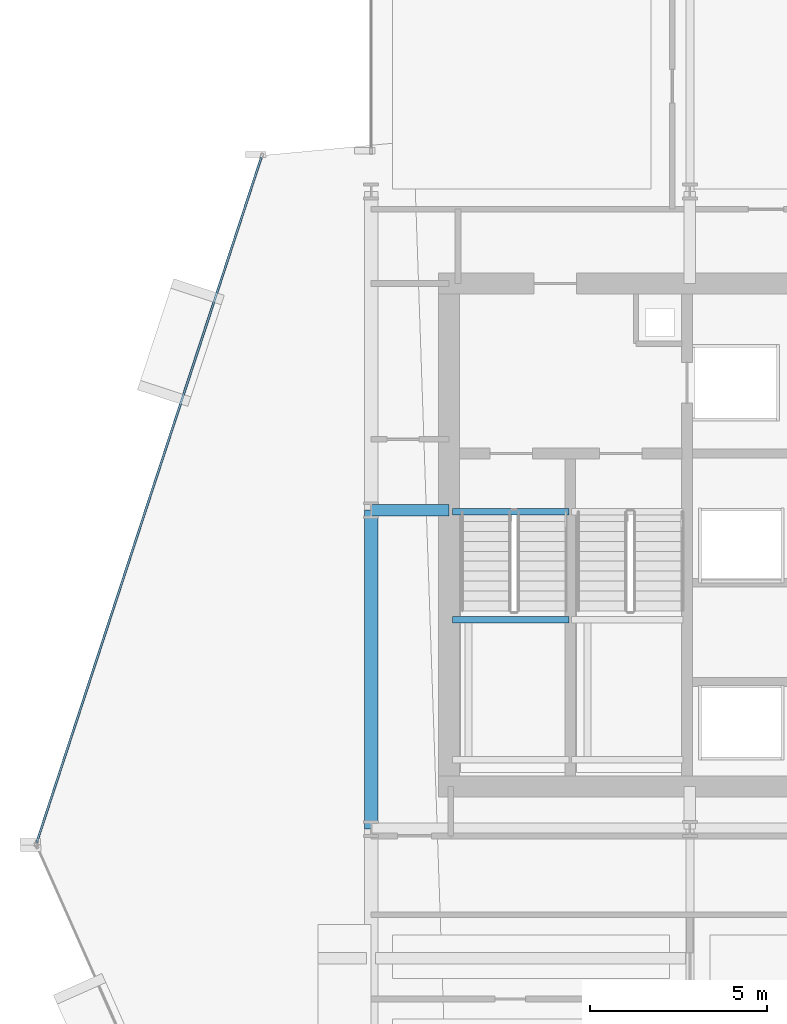
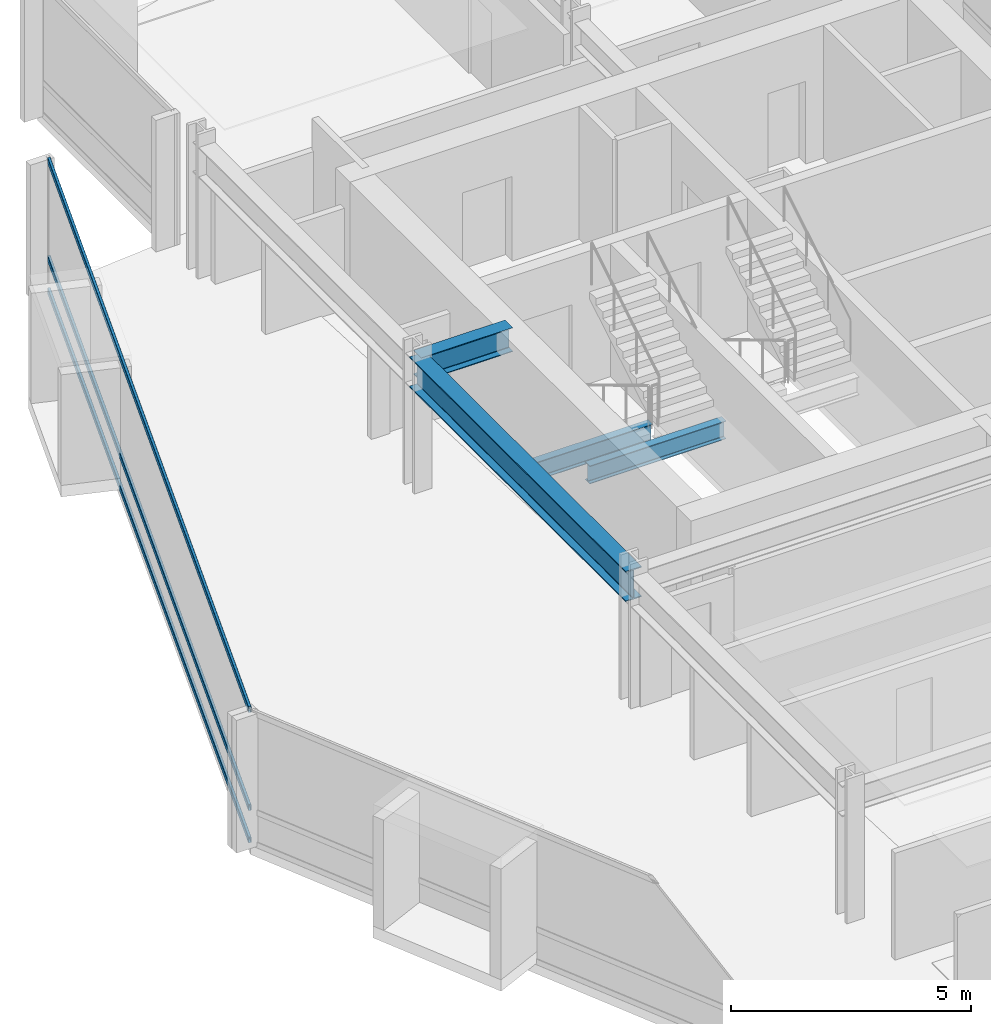
# One storey, part 18 of 34: 4 beams, 3 members, 1 element without a shape of its own.
"""IFC4 building model written with IfcOpenShell, lengths in metres."""

from ifc_helpers import new_model, si_unit, direction, frame, origin, origin_2d, place, context, subcontext, project, spatial, hollow_rectangle, i_section, extrude, material, layer, layer_set, material_profile, profile_set, type_object, element, aggregate, save


model = new_model("IFC4")

# Units and contexts
model_context = context("Model", 3, precision=1e-05, world=origin(), true_north=direction((0.0, 1.0)))
body_context = subcontext(model_context, "Body", "Model", "MODEL_VIEW")
ifc_project = project(units=[si_unit("LENGTHUNIT", "METRE"), si_unit("AREAUNIT", "SQUARE_METRE"), si_unit("VOLUMEUNIT", "CUBIC_METRE"), si_unit("PLANEANGLEUNIT", "RADIAN"), si_unit("MASSUNIT", "GRAM", prefix="KILO")], contexts=[model_context])

# Site, building, storey
site_placement = place(None, origin())
site = spatial("IfcSite", under=ifc_project, at=site_placement, CompositionType="ELEMENT")
building_placement = place(site_placement, origin())
building = spatial("IfcBuilding", under=site, at=building_placement, Name="Solvaryn Broadcast Tower", CompositionType="ELEMENT")
storey_placement = place(building_placement, frame((0.0, 0.0, 96.5)))
storey = spatial("IfcBuildingStorey", under=building, at=storey_placement, Name="L23", CompositionType="ELEMENT", Elevation=96.5)

# Beams
ifc_material_1 = material(Name="Steel ASTM A992 Grade 50", Category="steel")
ifc_material_profile_1 = material_profile(ifc_material_1, i_section(OverallWidth=0.323974609375, OverallDepth=0.611083984375, WebThickness=0.0126953125, FlangeThickness=0.01904296875, FilletRadius=0.014892578125, at=origin_2d()))
ifc_profile_set_1 = profile_set([ifc_material_profile_1], Name="Steel ASTM A992 Grade 50")
beam_type_1 = type_object("IfcBeamType", Name="BM-B1-W24X104", PredefinedType="BEAM", material=ifc_profile_set_1)
beam_1_placement = place(storey_placement, frame((9.0, 36.0, 3.064453125), z_axis=(1.0, 0.0, 0.0), x_axis=(0.0, 1.0, 0.0)))
element("IfcBeam", 1, at=beam_1_placement, inside=storey, type_object=beam_type_1, Name="L23 Core Tie Beam CTW1", PredefinedType="BEAM", context=body_context, shape_type="SweptSolid", body=[
    extrude(i_section(OverallWidth=0.323974609375, OverallDepth=0.611083984375, WebThickness=0.0126953125, FlangeThickness=0.01904296875, FilletRadius=0.014892578125, at=origin_2d()), origin(), (0.0, 0.0, 1.0), 2.199951171875),
])
ifc_material_2 = material(Name="Steel ASTM A992 Grade 50", Category="steel")
ifc_material_profile_2 = material_profile(ifc_material_2, i_section(OverallWidth=0.18994140625, OverallDepth=0.45703125, WebThickness=0.009033203125, FlangeThickness=0.014404296875, FilletRadius=0.011962890625, at=origin_2d()))
ifc_profile_set_2 = profile_set([ifc_material_profile_2], Name="Steel ASTM A992 Grade 50")
beam_type_2 = type_object("IfcBeamType", Name="BM-B4-W18X50", PredefinedType="BEAM", material=ifc_profile_set_2)
for number, where, z_axis, x_axis, name in (
    (2, (11.300048828125, 35.9599609375, -0.508544921875), (1.0, 0.0, 0.0), (0.0, 1.0, 0.0), "L23 ST1 Stair Well Trimmer Beam"),
    (3, (11.300048828125, 32.909912109375, 1.42138671875), (1.0, 0.0, 0.0), (0.0, 1.0, 0.0), "L23 ST1 Landing Support Beam 1B"),
):
    element("IfcBeam", number, at=place(storey_placement, frame(where, z_axis=z_axis, x_axis=x_axis)), inside=storey, type_object=beam_type_2, Name=name, PredefinedType="BEAM", context=body_context, shape_type="SweptSolid", body=[
        extrude(i_section(OverallWidth=0.18994140625, OverallDepth=0.45703125, WebThickness=0.009033203125, FlangeThickness=0.014404296875, FilletRadius=0.011962890625, at=origin_2d()), origin(), (0.0, 0.0, 1.0), 3.280029296875),
    ])
ifc_material_3 = material(Name="Steel ASTM A992 Grade 50", Category="steel")
ifc_material_profile_3 = material_profile(ifc_material_3, i_section(OverallWidth=0.381103515625, OverallDepth=0.77294921875, WebThickness=0.0166015625, FlangeThickness=0.027099609375, FilletRadius=0.01806640625, at=origin_2d()))
ifc_profile_set_3 = profile_set([ifc_material_profile_3], Name="Steel ASTM A992 Grade 50")
beam_type_3 = type_object("IfcBeamType", Name="BM-SP1-W30X173", PredefinedType="USERDEFINED", material=ifc_profile_set_3)
beam_2_placement = place(storey_placement, frame((9.0, 27.0, 2.9833984375), z_axis=(0.0, 1.0, 0.0), x_axis=(-1.0, 0.0, 0.0)))
element("IfcBeam", 4, at=beam_2_placement, inside=storey, type_object=beam_type_3, Name="L23 Spandrel Beam Y (27-36 @ X=9)", ObjectType="SPANDREL", PredefinedType="USERDEFINED", context=body_context, shape_type="SweptSolid", body=[
    extrude(i_section(OverallWidth=0.381103515625, OverallDepth=0.77294921875, WebThickness=0.0166015625, FlangeThickness=0.027099609375, FilletRadius=0.01806640625, at=origin_2d()), origin(), (0.0, 0.0, 1.0), 9.0),
])

# Curtain wall, members
ifc_material_4 = material(Name="Aluminium and Terracotta Unitised Curtain Wall", Category="masonry")
ifc_layer = layer(ifc_material_4, 0.199951171875)
ifc_layer_set = layer_set([ifc_layer], Name="CW-SYS2-LOWMID")
curtain_wall_type = type_object("IfcCurtainWallType", Name="CW-SYS2-LOWMID", PredefinedType="NOTDEFINED", material=ifc_layer_set)
curtain_wall_placement = place(storey_placement, origin())
curtain_wall = element("IfcCurtainWall", 5, at=curtain_wall_placement, inside=storey, type_object=curtain_wall_type, Name="L23 Curtain Wall DR1", PredefinedType="NOTDEFINED")
ifc_material_5 = material(Name="Anodised Aluminium 6063-T6", Category="aluminium")
ifc_material_profile_4 = material_profile(ifc_material_5, hollow_rectangle(XDim=0.06494140625, YDim=0.14990234375, WallThickness=0.00390625, InnerFilletRadius=0.00390625, OuterFilletRadius=0.008056640625, at=origin_2d()))
ifc_profile_set_4 = profile_set([ifc_material_profile_4], Name="Anodised Aluminium 6063-T6")
member_type = type_object("IfcMemberType", Name="CW-TRN-150", PredefinedType="USERDEFINED", material=ifc_profile_set_4)
member_1_placement = place(storey_placement, frame((5.897216796875, 45.958984375, 0.030029296875), z_axis=(-0.311589549406, -0.950216792475, 0.0), x_axis=(0.950216792475, -0.311589549406, 0.0)))
member_1 = element("IfcMember", 6, at=member_1_placement, type_object=member_type, Name="CWS2 transom 1.1", ObjectType="TRANSOM", PredefinedType="USERDEFINED", context=body_context, shape_type="SweptSolid", body=[
    extrude(hollow_rectangle(XDim=0.06494140625, YDim=0.14990234375, WallThickness=0.00390625, InnerFilletRadius=0.00390625, OuterFilletRadius=0.008056640625, at=origin_2d()), origin(), (0.0, 0.0, 1.0), 20.35546875),
])
member_2_placement = place(storey_placement, frame((5.897216796875, 45.958984375, 0.85009765625), z_axis=(-0.311589549406, -0.950216792475, 0.0), x_axis=(0.950216792475, -0.311589549406, 0.0)))
member_2 = element("IfcMember", 7, at=member_2_placement, type_object=member_type, Name="CWS2 transom 1.2", ObjectType="TRANSOM", PredefinedType="USERDEFINED", context=body_context, shape_type="SweptSolid", body=[
    extrude(hollow_rectangle(XDim=0.06494140625, YDim=0.14990234375, WallThickness=0.00390625, InnerFilletRadius=0.00390625, OuterFilletRadius=0.008056640625, at=origin_2d()), origin(), (0.0, 0.0, 1.0), 20.35546875),
])
member_3_placement = place(storey_placement, frame((5.897216796875, 45.958984375, 3.340087890625), z_axis=(-0.311589549406, -0.950216792475, 0.0), x_axis=(0.950216792475, -0.311589549406, 0.0)))
member_3 = element("IfcMember", 8, at=member_3_placement, type_object=member_type, Name="CWS2 transom 1.3", ObjectType="TRANSOM", PredefinedType="USERDEFINED", context=body_context, shape_type="SweptSolid", body=[
    extrude(hollow_rectangle(XDim=0.06494140625, YDim=0.14990234375, WallThickness=0.00390625, InnerFilletRadius=0.00390625, OuterFilletRadius=0.008056640625, at=origin_2d()), origin(), (0.0, 0.0, 1.0), 20.35546875),
])
aggregate(curtain_wall, [member_1, member_2, member_3])

save(model, "model.ifc")
